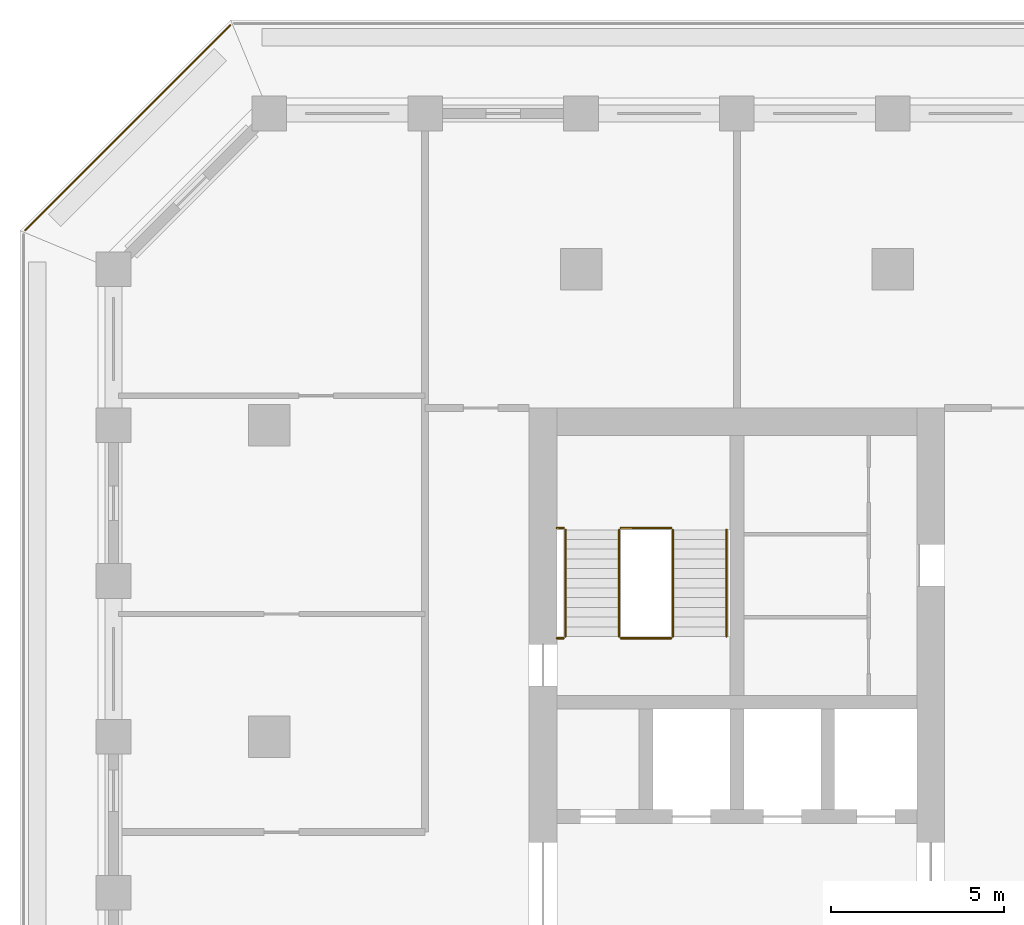
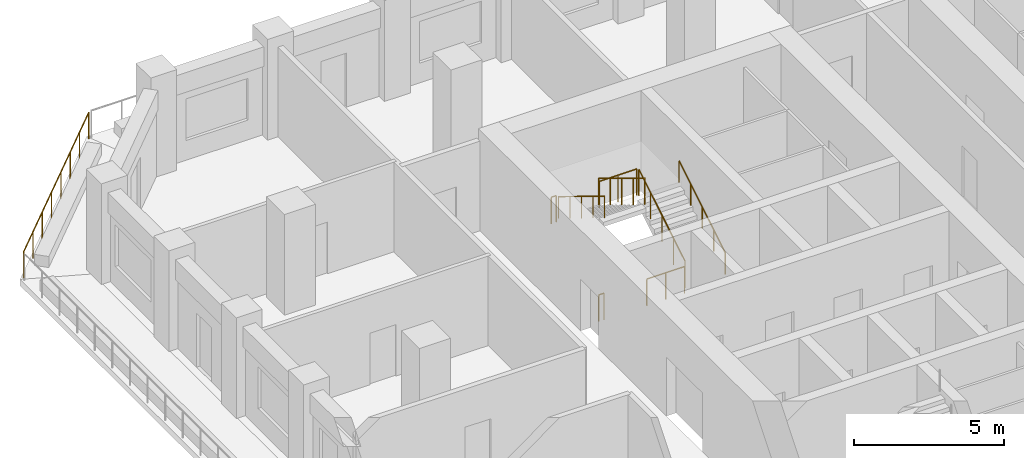
# One storey, part 13 of 16: 9 railings.
"""IFC4 building model written with IfcOpenShell, lengths in metres."""

from ifc_helpers import new_model, si_unit, direction, frame, origin, origin_2d, place, context, subcontext, project, spatial, circle, extrude, material, type_object, element, save


model = new_model("IFC4")

# Units and contexts
model_context = context("Model", 3, precision=1e-05, world=origin(), true_north=direction((0.0, 1.0)))
body_context = subcontext(model_context, "Body", "Model", "MODEL_VIEW")
ifc_project = project(units=[si_unit("LENGTHUNIT", "METRE"), si_unit("AREAUNIT", "SQUARE_METRE"), si_unit("VOLUMEUNIT", "CUBIC_METRE"), si_unit("PLANEANGLEUNIT", "RADIAN"), si_unit("MASSUNIT", "GRAM", prefix="KILO")], contexts=[model_context])

# Site, building, storey
site_placement = place(None, origin())
site = spatial("IfcSite", under=ifc_project, at=site_placement, CompositionType="ELEMENT")
building_placement = place(site_placement, origin())
building = spatial("IfcBuilding", under=site, at=building_placement, Name="Corbel Stack Research Tower", CompositionType="ELEMENT")
storey_placement = place(building_placement, frame((0.0, 0.0, 212.0)))
storey = spatial("IfcBuildingStorey", under=building, at=storey_placement, Name="L48", CompositionType="ELEMENT", Elevation=212.0)

# Railings
ifc_material_1 = material(Name="Steel S355", Category="steel")
railing_type_1 = type_object("IfcRailingType", Name="Stair guard 1100", PredefinedType="GUARDRAIL", material=ifc_material_1)
railing_1_placement = place(storey_placement, frame((-6.35009765625, 11.89990234375, 0.1708984375)))
element("IfcRailing", 1, at=railing_1_placement, inside=storey, type_object=railing_type_1, Name="L48 ST-W2 stair guard 1", PredefinedType="GUARDRAIL", context=body_context, shape_type="SweptSolid", body=[
    extrude(circle(Radius=0.02392578125, at=origin_2d()), frame((0.0, 0.0, 1.076171875), z_axis=(0.0, 0.853666305674, 0.52082035152), x_axis=(-1.0, 0.0, 0.0)), (0.0, 0.0, 1.0), 3.608154296875),
    extrude(circle(Radius=0.02099609375, at=origin_2d()), origin(), (0.0, 0.0, 1.0), 1.052001953125),
    extrude(circle(Radius=0.02099609375, at=origin_2d()), frame((0.0, 0.77001953125, 0.4697265625)), (0.0, 0.0, 1.0), 1.052001953125),
    extrude(circle(Radius=0.02099609375, at=origin_2d()), frame((0.0, 1.5400390625, 0.939453125)), (0.0, 0.0, 1.0), 1.052001953125),
    extrude(circle(Radius=0.02099609375, at=origin_2d()), frame((0.0, 2.31005859375, 1.409423828125)), (0.0, 0.0, 1.0), 1.052001953125),
    extrude(circle(Radius=0.02099609375, at=origin_2d()), frame((0.0, 3.080078125, 1.879150390625)), (0.0, 0.0, 1.0), 1.052001953125),
])
railing_2_placement = place(storey_placement, frame((-6.39990234375, 15.030029296875, 2.050048828125)))
element("IfcRailing", 2, at=railing_2_placement, inside=storey, type_object=railing_type_1, Name="L48 ST-W2 stair guard 2", PredefinedType="GUARDRAIL", context=body_context, shape_type="SweptSolid", body=[
    extrude(circle(Radius=0.02392578125, at=origin_2d()), frame((0.0, 0.0, 1.076171875), z_axis=(-1.0, 0.0, 0.0), x_axis=(0.0, -1.0, 0.0)), (0.0, 0.0, 1.0), 1.4501953125),
    extrude(circle(Radius=0.02099609375, at=origin_2d()), origin(), (0.0, 0.0, 1.0), 1.052001953125),
    extrude(circle(Radius=0.02099609375, at=origin_2d()), frame((-0.72509765625, 0.0, 0.0)), (0.0, 0.0, 1.0), 1.052001953125),
    extrude(circle(Radius=0.02099609375, at=origin_2d()), frame((-1.4501953125, 0.0, 0.0)), (0.0, 0.0, 1.0), 1.052001953125),
])
railing_3_placement = place(storey_placement, frame((-9.5, 15.030029296875, 2.050048828125)))
element("IfcRailing", 3, at=railing_3_placement, inside=storey, type_object=railing_type_1, Name="L48 ST-W2 stair guard 3", PredefinedType="GUARDRAIL", context=body_context, shape_type="SweptSolid", body=[
    extrude(circle(Radius=0.02392578125, at=origin_2d()), frame((0.0, 0.0, 1.076171875), z_axis=(-1.0, 0.0, 0.0), x_axis=(0.0, -1.0, 0.0)), (0.0, 0.0, 1.0), 0.199951171875),
    extrude(circle(Radius=0.02099609375, at=origin_2d()), origin(), (0.0, 0.0, 1.0), 1.052001953125),
    extrude(circle(Radius=0.02099609375, at=origin_2d()), frame((-0.199951171875, 0.0, 0.0)), (0.0, 0.0, 1.0), 1.052001953125),
])
railing_4_placement = place(storey_placement, frame((-7.89990234375, 14.97998046875, 2.220947265625)))
element("IfcRailing", 4, at=railing_4_placement, inside=storey, type_object=railing_type_1, Name="L48 ST-W2 stair guard 4", PredefinedType="GUARDRAIL", context=body_context, shape_type="SweptSolid", body=[
    extrude(circle(Radius=0.02392578125, at=origin_2d()), frame((0.0, 0.0, 1.076171875), z_axis=(0.0, -0.853666305674, 0.52082035152), x_axis=(1.0, 0.0, 0.0)), (0.0, 0.0, 1.0), 3.608154296875),
    extrude(circle(Radius=0.02099609375, at=origin_2d()), origin(), (0.0, 0.0, 1.0), 1.052001953125),
    extrude(circle(Radius=0.02099609375, at=origin_2d()), frame((0.0, -0.77001953125, 0.4697265625)), (0.0, 0.0, 1.0), 1.052001953125),
    extrude(circle(Radius=0.02099609375, at=origin_2d()), frame((0.0, -1.5400390625, 0.939453125)), (0.0, 0.0, 1.0), 1.052001953125),
    extrude(circle(Radius=0.02099609375, at=origin_2d()), frame((0.0, -2.31005859375, 1.409423828125)), (0.0, 0.0, 1.0), 1.052001953125),
    extrude(circle(Radius=0.02099609375, at=origin_2d()), frame((0.0, -3.080078125, 1.879150390625)), (0.0, 0.0, 1.0), 1.052001953125),
])
railing_5_placement = place(storey_placement, frame((-6.39990234375, 11.85009765625, 0.0)))
element("IfcRailing", 5, at=railing_5_placement, inside=storey, type_object=railing_type_1, Name="L48 ST-W2 stair guard 5", PredefinedType="GUARDRAIL", context=body_context, shape_type="SweptSolid", body=[
    extrude(circle(Radius=0.02392578125, at=origin_2d()), frame((0.0, 0.0, 1.076171875), z_axis=(-1.0, 0.0, 0.0), x_axis=(0.0, -1.0, 0.0)), (0.0, 0.0, 1.0), 1.4501953125),
    extrude(circle(Radius=0.02099609375, at=origin_2d()), origin(), (0.0, 0.0, 1.0), 1.052001953125),
    extrude(circle(Radius=0.02099609375, at=origin_2d()), frame((-0.72509765625, 0.0, 0.0)), (0.0, 0.0, 1.0), 1.052001953125),
    extrude(circle(Radius=0.02099609375, at=origin_2d()), frame((-1.4501953125, 0.0, 0.0)), (0.0, 0.0, 1.0), 1.052001953125),
])
railing_6_placement = place(storey_placement, frame((-9.5, 11.85009765625, 0.0)))
element("IfcRailing", 6, at=railing_6_placement, inside=storey, type_object=railing_type_1, Name="L48 ST-W2 stair guard 6", PredefinedType="GUARDRAIL", context=body_context, shape_type="SweptSolid", body=[
    extrude(circle(Radius=0.02392578125, at=origin_2d()), frame((0.0, 0.0, 1.076171875), z_axis=(-1.0, 0.0, 0.0), x_axis=(0.0, -1.0, 0.0)), (0.0, 0.0, 1.0), 0.199951171875),
    extrude(circle(Radius=0.02099609375, at=origin_2d()), origin(), (0.0, 0.0, 1.0), 1.052001953125),
    extrude(circle(Radius=0.02099609375, at=origin_2d()), frame((-0.199951171875, 0.0, 0.0)), (0.0, 0.0, 1.0), 1.052001953125),
])
ifc_material_2 = material(Name="Steel S355", Category="steel")
railing_type_2 = type_object("IfcRailingType", Name="Stair handrail 900", PredefinedType="HANDRAIL", material=ifc_material_2)
railing_7_placement = place(storey_placement, frame((-4.800048828125, 11.89990234375, 0.1708984375)))
element("IfcRailing", 7, at=railing_7_placement, inside=storey, type_object=railing_type_2, Name="L48 ST-W2 stair handrail 1", PredefinedType="HANDRAIL", context=body_context, shape_type="SweptSolid", body=[
    extrude(circle(Radius=0.02392578125, at=origin_2d()), frame((0.0, 0.0, 0.8759765625), z_axis=(0.0, 0.853666305674, 0.52082035152), x_axis=(-1.0, 0.0, 0.0)), (0.0, 0.0, 1.0), 3.608154296875),
    extrude(circle(Radius=0.02099609375, at=origin_2d()), origin(), (0.0, 0.0, 1.0), 0.851806640625),
    extrude(circle(Radius=0.02099609375, at=origin_2d()), frame((0.0, 0.77001953125, 0.4697265625)), (0.0, 0.0, 1.0), 0.851806640625),
    extrude(circle(Radius=0.02099609375, at=origin_2d()), frame((0.0, 1.5400390625, 0.939453125)), (0.0, 0.0, 1.0), 0.851806640625),
    extrude(circle(Radius=0.02099609375, at=origin_2d()), frame((0.0, 2.31005859375, 1.409423828125)), (0.0, 0.0, 1.0), 0.851806640625),
    extrude(circle(Radius=0.02099609375, at=origin_2d()), frame((0.0, 3.080078125, 1.879150390625)), (0.0, 0.0, 1.0), 0.851806640625),
])
railing_8_placement = place(storey_placement, frame((-9.449951171875, 14.97998046875, 2.220947265625)))
element("IfcRailing", 8, at=railing_8_placement, inside=storey, type_object=railing_type_2, Name="L48 ST-W2 stair handrail 2", PredefinedType="HANDRAIL", context=body_context, shape_type="SweptSolid", body=[
    extrude(circle(Radius=0.02392578125, at=origin_2d()), frame((0.0, 0.0, 0.8759765625), z_axis=(0.0, -0.853666305674, 0.52082035152), x_axis=(1.0, 0.0, 0.0)), (0.0, 0.0, 1.0), 3.608154296875),
    extrude(circle(Radius=0.02099609375, at=origin_2d()), origin(), (0.0, 0.0, 1.0), 0.851806640625),
    extrude(circle(Radius=0.02099609375, at=origin_2d()), frame((0.0, -0.77001953125, 0.4697265625)), (0.0, 0.0, 1.0), 0.851806640625),
    extrude(circle(Radius=0.02099609375, at=origin_2d()), frame((0.0, -1.5400390625, 0.939453125)), (0.0, 0.0, 1.0), 0.851806640625),
    extrude(circle(Radius=0.02099609375, at=origin_2d()), frame((0.0, -2.31005859375, 1.409423828125)), (0.0, 0.0, 1.0), 0.851806640625),
    extrude(circle(Radius=0.02099609375, at=origin_2d()), frame((0.0, -3.080078125, 1.879150390625)), (0.0, 0.0, 1.0), 0.851806640625),
])
ifc_material_3 = material(Name="Powder-coated steel guard", Category="steel")
railing_type_3 = type_object("IfcRailingType", Name="Steel and glass guard 1100", PredefinedType="GUARDRAIL", material=ifc_material_3)
railing_9_placement = place(storey_placement, frame((-19.127685546875, 29.54931640625, 0.0)))
element("IfcRailing", 9, at=railing_9_placement, inside=storey, type_object=railing_type_3, Name="Loggia guard L48 NW", PredefinedType="GUARDRAIL", context=body_context, shape_type="SweptSolid", body=[
    extrude(circle(Radius=0.02392578125, at=origin_2d()), frame((0.0, 0.0, 1.076171875), z_axis=(-0.707106781187, -0.707106781187, 0.0), x_axis=(0.707106781187, -0.707106781187, 0.0)), (0.0, 0.0, 1.0), 8.37451171875),
    extrude(circle(Radius=0.02099609375, at=origin_2d()), origin(), (0.0, 0.0, 1.0), 1.052001953125),
    extrude(circle(Radius=0.02099609375, at=origin_2d()), frame((-0.845947265625, -0.845947265625, 0.0)), (0.0, 0.0, 1.0), 1.052001953125),
    extrude(circle(Radius=0.02099609375, at=origin_2d()), frame((-1.69189453125, -1.69189453125, 0.0)), (0.0, 0.0, 1.0), 1.052001953125),
    extrude(circle(Radius=0.02099609375, at=origin_2d()), frame((-2.537841796875, -2.537841796875, 0.0)), (0.0, 0.0, 1.0), 1.052001953125),
    extrude(circle(Radius=0.02099609375, at=origin_2d()), frame((-3.3837890625, -3.3837890625, 0.0)), (0.0, 0.0, 1.0), 1.052001953125),
    extrude(circle(Radius=0.02099609375, at=origin_2d()), frame((-4.229736328125, -4.229736328125, 0.0)), (0.0, 0.0, 1.0), 1.052001953125),
    extrude(circle(Radius=0.02099609375, at=origin_2d()), frame((-5.07568359375, -5.07568359375, 0.0)), (0.0, 0.0, 1.0), 1.052001953125),
    extrude(circle(Radius=0.02099609375, at=origin_2d()), frame((-5.921630859375, -5.921630859375, 0.0)), (0.0, 0.0, 1.0), 1.052001953125),
])

save(model, "model.ifc")
